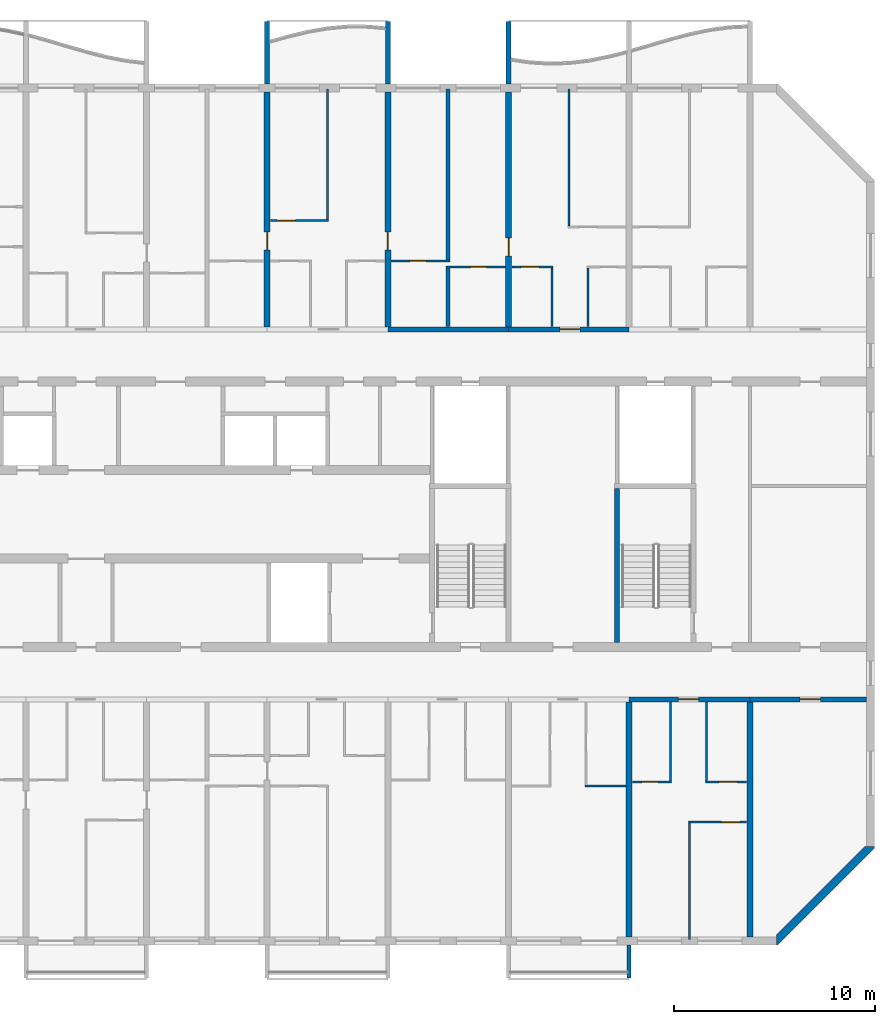
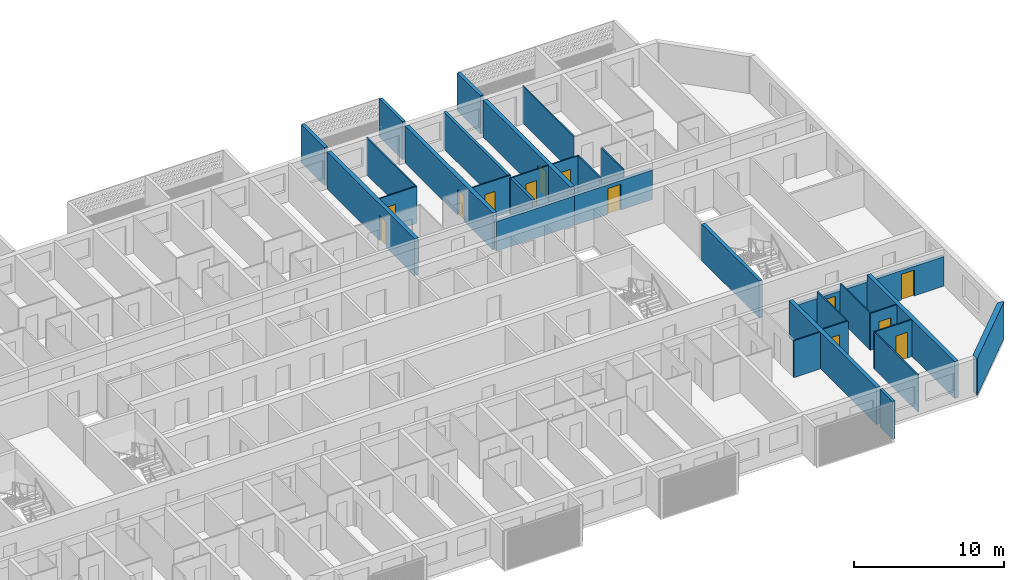
# One storey, part 11 of 32: 32 walls, 13 doors, 13 openings.
"""IFC4 building model written with IfcOpenShell, lengths in metres."""

from ifc_helpers import new_model, si_unit, direction, frame, frame_2d, origin, place, context, subcontext, project, spatial, polyline, rectangle, outline, extrude, source, transform, mapped, material, layer, layer_set, type_object, element, fill, save


model = new_model("IFC4")

# Units and contexts
model_context = context("Model", 3, precision=1e-05, world=origin(), true_north=direction((0.0, 1.0)))
body_context = subcontext(model_context, "Body", "Model", "MODEL_VIEW")
ifc_project = project(units=[si_unit("LENGTHUNIT", "METRE"), si_unit("AREAUNIT", "SQUARE_METRE"), si_unit("VOLUMEUNIT", "CUBIC_METRE"), si_unit("PLANEANGLEUNIT", "RADIAN"), si_unit("MASSUNIT", "GRAM", prefix="KILO")], contexts=[model_context])

# Site, building, storey
site_placement = place(None, origin())
site = spatial("IfcSite", under=ifc_project, at=site_placement, CompositionType="ELEMENT")
building_placement = place(site_placement, origin())
building = spatial("IfcBuilding", under=site, at=building_placement, Name="Poui Terraces", CompositionType="ELEMENT")
storey_placement = place(building_placement, frame((0.0, 0.0, 155.39990234375)))
storey = spatial("IfcBuildingStorey", under=building, at=storey_placement, Name="L43", CompositionType="ELEMENT", Elevation=155.39990234375)

# Wall, opening, door
ifc_material_1 = material(Name="Concrete 65 MPa", Category="concrete")
ifc_layer_1 = layer(ifc_material_1, 0.25)
ifc_layer_set_1 = layer_set([ifc_layer_1], Name="Concrete 65 MPa")
wall_type_1 = type_object("IfcWallType", Name="CORRIDOR WALL 250 65MPa", PredefinedType="SHEAR", material=ifc_layer_set_1)
wall_1_placement = place(storey_placement, frame((78.0, 12.0, 0.0), z_axis=(0.0, 0.0, 1.0), x_axis=(1.0, 0.0, 0.0)))
wall_1 = element("IfcWall", 1, at=wall_1_placement, inside=storey, type_object=wall_type_1, Name="CORRIDOR WALL LINE B BAY 12", PredefinedType="SHEAR", context=body_context, shape_type="SweptSolid", body=[
    extrude(rectangle(XDim=6.0, YDim=0.25, at=frame_2d((3.0, 0.0))), origin(), (0.0, 0.0, 1.0), 2.400146484375),
])
opening_1_placement = place(wall_1_placement, frame((2.449951171875, 0.0, 0.0)))
opening_1 = element("IfcOpeningElement", 2, at=opening_1_placement, cuts=wall_1, Name="Opening FD30S", PredefinedType="OPENING", context=body_context, shape_type="SweptSolid", body=[
    extrude(rectangle(XDim=1.0, YDim=2.10009765625, at=frame_2d((0.5, 1.050048828125))), frame((0.0, 0.135009765625, 0.0), z_axis=(0.0, -1.0, 0.0), x_axis=(1.0, 0.0, 0.0)), (0.0, 0.0, 1.0), 0.27001953125),
])
ifc_material_2 = material(Name="Steel fire door", Category="steel")
door_type_1 = type_object("IfcDoorType", Name="FLAT ENTRANCE DOOR 1000 X 2100", OperationType="NOTDEFINED", PredefinedType="DOOR", material=ifc_material_2)
door_1_placement = place(opening_1_placement, frame((1.0, 0.0, 0.0), z_axis=(0.0, 0.0, 1.0), x_axis=(-1.0, 0.0, 0.0)))
door_1 = element("IfcDoor", 3, at=door_1_placement, inside=storey, type_object=door_type_1, Name="FLAT ENTRANCE DOOR 115", OperationType="SINGLE_SWING_RIGHT", OverallHeight=2.10009765625, OverallWidth=1.0, PredefinedType="DOOR", context=body_context, shape_type="SweptSolid", body=[
    extrude(rectangle(XDim=1.0, YDim=2.10009765625, at=frame_2d((0.5, 1.050048828125))), frame((0.0, 0.02490234375, 0.0), z_axis=(0.0, -1.0, 0.0), x_axis=(1.0, 0.0, 0.0)), (0.0, 0.0, 1.0), 0.050048828125),
])
fill(opening_1, door_1)

wall_2_placement = place(storey_placement, frame((84.0, 12.0, 0.0), z_axis=(0.0, 0.0, 1.0), x_axis=(1.0, 0.0, 0.0)))
wall_2 = element("IfcWall", 4, at=wall_2_placement, inside=storey, type_object=wall_type_1, Name="CORRIDOR WALL LINE B BAY 13", PredefinedType="SHEAR", context=body_context, shape_type="SweptSolid", body=[
    extrude(rectangle(XDim=5.800048828125, YDim=0.25, at=frame_2d((2.89990234375, 0.0))), origin(), (0.0, 0.0, 1.0), 2.400146484375),
])
opening_2_placement = place(wall_2_placement, frame((2.5, 0.0, 0.0)))
opening_2 = element("IfcOpeningElement", 5, at=opening_2_placement, cuts=wall_2, Name="Opening D100", PredefinedType="OPENING", context=body_context, shape_type="SweptSolid", body=[
    extrude(rectangle(XDim=1.0, YDim=2.10009765625, at=frame_2d((0.5, 1.050048828125))), frame((0.0, 0.135009765625, 0.0), z_axis=(0.0, -1.0, 0.0), x_axis=(1.0, 0.0, 0.0)), (0.0, 0.0, 1.0), 0.27001953125),
])
ifc_material_3 = material(Name="Solid core timber door", Category="wood")
door_type_2 = type_object("IfcDoorType", Name="ACCESSIBLE INTERNAL DOOR 1000 X 2100", OperationType="NOTDEFINED", PredefinedType="DOOR", material=ifc_material_3)
door_2_placement = place(opening_2_placement, frame((1.0, 0.0, 0.0), z_axis=(0.0, 0.0, 1.0), x_axis=(-1.0, 0.0, 0.0)))
door_2 = element("IfcDoor", 6, at=door_2_placement, inside=storey, type_object=door_type_2, Name="ACCESSIBLE INTERNAL DOOR 118", OperationType="SINGLE_SWING_RIGHT", OverallHeight=2.10009765625, OverallWidth=1.0, PredefinedType="DOOR", context=body_context, shape_type="SweptSolid", body=[
    extrude(rectangle(XDim=1.0, YDim=2.10009765625, at=frame_2d((0.5, 1.050048828125))), frame((0.0, 0.02490234375, 0.0), z_axis=(0.0, -1.0, 0.0), x_axis=(1.0, 0.0, 0.0)), (0.0, 0.0, 1.0), 0.050048828125),
])
fill(opening_2, door_2)

# Wall
wall_3_placement = place(storey_placement, frame((66.0, 30.39990234375, 0.0), z_axis=(0.0, 0.0, 1.0), x_axis=(1.0, 0.0, 0.0)))
element("IfcWall", 7, at=wall_3_placement, inside=storey, type_object=wall_type_1, Name="CORRIDOR WALL LINE E BAY 10", PredefinedType="SHEAR", context=body_context, shape_type="SweptSolid", body=[
    extrude(rectangle(XDim=6.0, YDim=0.25, at=frame_2d((3.0, 0.0))), origin(), (0.0, 0.0, 1.0), 2.400146484375),
])

# Wall, opening, door
wall_4_placement = place(storey_placement, frame((72.0, 30.39990234375, 0.0), z_axis=(0.0, 0.0, 1.0), x_axis=(1.0, 0.0, 0.0)))
wall_4 = element("IfcWall", 8, at=wall_4_placement, inside=storey, type_object=wall_type_1, Name="CORRIDOR WALL LINE E BAY 11", PredefinedType="SHEAR", context=body_context, shape_type="SweptSolid", body=[
    extrude(rectangle(XDim=6.0, YDim=0.25, at=frame_2d((3.0, 0.0))), origin(), (0.0, 0.0, 1.0), 2.400146484375),
])
opening_3_placement = place(wall_4_placement, frame((2.550048828125, 0.0, 0.0)))
opening_3 = element("IfcOpeningElement", 9, at=opening_3_placement, cuts=wall_4, Name="Opening FD30S", PredefinedType="OPENING", context=body_context, shape_type="SweptSolid", body=[
    extrude(rectangle(XDim=1.0, YDim=2.10009765625, at=frame_2d((0.5, 1.050048828125))), frame((0.0, 0.135009765625, 0.0), z_axis=(0.0, -1.0, 0.0), x_axis=(1.0, 0.0, 0.0)), (0.0, 0.0, 1.0), 0.27001953125),
])
door_3_placement = place(opening_3_placement, origin())
door_3 = element("IfcDoor", 10, at=door_3_placement, inside=storey, type_object=door_type_1, Name="FLAT ENTRANCE DOOR 066", OperationType="SINGLE_SWING_RIGHT", OverallHeight=2.10009765625, OverallWidth=1.0, PredefinedType="DOOR", context=body_context, shape_type="SweptSolid", body=[
    extrude(rectangle(XDim=1.0, YDim=2.10009765625, at=frame_2d((0.5, 1.050048828125))), frame((0.0, 0.02490234375, 0.0), z_axis=(0.0, -1.0, 0.0), x_axis=(1.0, 0.0, 0.0)), (0.0, 0.0, 1.0), 0.050048828125),
])
fill(opening_3, door_3)

ifc_layer_2 = layer(ifc_material_1, 0.300048828125)
ifc_layer_set_2 = layer_set([ifc_layer_2], Name="Concrete 65 MPa")
wall_type_2 = type_object("IfcWallType", Name="CROSS WALL 300 65MPa", PredefinedType="SHEAR", material=ifc_layer_set_2)
wall_5_placement = place(storey_placement, frame((60.0, 30.52490234375, 0.0), z_axis=(0.0, 0.0, 1.0), x_axis=(0.0, 1.0, 0.0)))
wall_5 = element("IfcWall", 11, at=wall_5_placement, inside=storey, type_object=wall_type_2, Name="CROSS WALL LINE 11 NORTH", PredefinedType="SHEAR", context=body_context, shape_type="SweptSolid", body=[
    extrude(rectangle(XDim=11.675048828125, YDim=0.300048828125, at=frame_2d((5.83740234375, 0.0))), origin(), (0.0, 0.0, 1.0), 3.0),
])
opening_4_placement = place(wall_5_placement, frame((3.824951171875, 0.0, 0.0)))
opening_4 = element("IfcOpeningElement", 12, at=opening_4_placement, cuts=wall_5, Name="Opening D90", PredefinedType="OPENING", context=body_context, shape_type="SweptSolid", body=[
    extrude(rectangle(XDim=0.89990234375, YDim=2.10009765625, at=frame_2d((0.449951171875, 1.050048828125))), frame((0.0, 0.16015625, 0.0), z_axis=(0.0, -1.0, 0.0), x_axis=(1.0, 0.0, 0.0)), (0.0, 0.0, 1.0), 0.320068359375),
])
door_type_3 = type_object("IfcDoorType", Name="INTERNAL DOOR 900 X 2100", OperationType="NOTDEFINED", PredefinedType="DOOR", material=ifc_material_3)
door_4_placement = place(opening_4_placement, origin())
door_4 = element("IfcDoor", 13, at=door_4_placement, inside=storey, type_object=door_type_3, Name="INTERNAL DOOR 057", OperationType="SINGLE_SWING_LEFT", OverallHeight=2.10009765625, OverallWidth=0.89990234375, PredefinedType="DOOR", context=body_context, shape_type="SweptSolid", body=[
    extrude(rectangle(XDim=0.89990234375, YDim=2.10009765625, at=frame_2d((0.449951171875, 1.050048828125))), frame((0.0, 0.02490234375, 0.0), z_axis=(0.0, -1.0, 0.0), x_axis=(1.0, 0.0, 0.0)), (0.0, 0.0, 1.0), 0.050048828125),
])
fill(opening_4, door_4)

wall_6_placement = place(storey_placement, frame((66.0, 30.52490234375, 0.0), z_axis=(0.0, 0.0, 1.0), x_axis=(0.0, 1.0, 0.0)))
wall_6 = element("IfcWall", 14, at=wall_6_placement, inside=storey, type_object=wall_type_2, Name="CROSS WALL LINE 12 NORTH", PredefinedType="SHEAR", context=body_context, shape_type="SweptSolid", body=[
    extrude(rectangle(XDim=11.675048828125, YDim=0.300048828125, at=frame_2d((5.83740234375, 0.0))), origin(), (0.0, 0.0, 1.0), 3.0),
])
opening_5_placement = place(wall_6_placement, frame((3.824951171875, 0.0, 0.0)))
opening_5 = element("IfcOpeningElement", 15, at=opening_5_placement, cuts=wall_6, Name="Opening D90", PredefinedType="OPENING", context=body_context, shape_type="SweptSolid", body=[
    extrude(rectangle(XDim=0.89990234375, YDim=2.10009765625, at=frame_2d((0.449951171875, 1.050048828125))), frame((0.0, 0.16015625, 0.0), z_axis=(0.0, -1.0, 0.0), x_axis=(1.0, 0.0, 0.0)), (0.0, 0.0, 1.0), 0.320068359375),
])
door_5_placement = place(opening_5_placement, frame((0.89990234375, 0.0, 0.0), z_axis=(0.0, 0.0, 1.0), x_axis=(-1.0, 0.0, 0.0)))
door_5 = element("IfcDoor", 16, at=door_5_placement, inside=storey, type_object=door_type_3, Name="INTERNAL DOOR 062", OperationType="SINGLE_SWING_RIGHT", OverallHeight=2.10009765625, OverallWidth=0.89990234375, PredefinedType="DOOR", context=body_context, shape_type="SweptSolid", body=[
    extrude(rectangle(XDim=0.89990234375, YDim=2.10009765625, at=frame_2d((0.449951171875, 1.050048828125))), frame((0.0, 0.02490234375, 0.0), z_axis=(0.0, -1.0, 0.0), x_axis=(1.0, 0.0, 0.0)), (0.0, 0.0, 1.0), 0.050048828125),
])
fill(opening_5, door_5)

wall_7_placement = place(storey_placement, frame((72.0, 30.52490234375, 0.0), z_axis=(0.0, 0.0, 1.0), x_axis=(0.0, 1.0, 0.0)))
wall_7 = element("IfcWall", 17, at=wall_7_placement, inside=storey, type_object=wall_type_2, Name="CROSS WALL LINE 13 NORTH", PredefinedType="SHEAR", context=body_context, shape_type="SweptSolid", body=[
    extrude(rectangle(XDim=11.675048828125, YDim=0.300048828125, at=frame_2d((5.83740234375, 0.0))), origin(), (0.0, 0.0, 1.0), 3.0),
])
opening_6_placement = place(wall_7_placement, frame((3.52490234375, 0.0, 0.0)))
opening_6 = element("IfcOpeningElement", 18, at=opening_6_placement, cuts=wall_7, Name="Opening D90", PredefinedType="OPENING", context=body_context, shape_type="SweptSolid", body=[
    extrude(rectangle(XDim=0.89990234375, YDim=2.10009765625, at=frame_2d((0.449951171875, 1.050048828125))), frame((0.0, 0.16015625, 0.0), z_axis=(0.0, -1.0, 0.0), x_axis=(1.0, 0.0, 0.0)), (0.0, 0.0, 1.0), 0.320068359375),
])
door_6_placement = place(opening_6_placement, origin())
door_6 = element("IfcDoor", 19, at=door_6_placement, inside=storey, type_object=door_type_3, Name="INTERNAL DOOR 064", OperationType="SINGLE_SWING_LEFT", OverallHeight=2.10009765625, OverallWidth=0.89990234375, PredefinedType="DOOR", context=body_context, shape_type="SweptSolid", body=[
    extrude(rectangle(XDim=0.89990234375, YDim=2.10009765625, at=frame_2d((0.449951171875, 1.050048828125))), frame((0.0, 0.02490234375, 0.0), z_axis=(0.0, -1.0, 0.0), x_axis=(1.0, 0.0, 0.0)), (0.0, 0.0, 1.0), 0.050048828125),
])
fill(opening_6, door_6)

# Walls
for number, where, z_axis, x_axis, name in (
    (20, (78.0, 0.199951171875, 0.0), (0.0, 0.0, 1.0), (0.0, 1.0, 0.0), "CROSS WALL LINE 14 SOUTH"),
    (21, (84.0, 0.199951171875, 0.0), (0.0, 0.0, 1.0), (0.0, 1.0, 0.0), "CROSS WALL LINE 15 SOUTH"),
):
    element("IfcWall", number, at=place(storey_placement, frame(where, z_axis=z_axis, x_axis=x_axis)), inside=storey, type_object=wall_type_2, Name=name, PredefinedType="SHEAR", context=body_context, shape_type="SweptSolid", body=[
        extrude(rectangle(XDim=11.675048828125, YDim=0.300048828125, at=frame_2d((5.83740234375, 0.0))), origin(), (0.0, 0.0, 1.0), 3.0),
    ])

# Wall, opening, door
ifc_material_4 = material(Name="Plasterboard partition")
ifc_layer_3 = layer(ifc_material_4, 0.10009765625)
ifc_layer_set_3 = layer_set([ifc_layer_3], Name="Plasterboard partition")
wall_type_3 = type_object("IfcWallType", Name="FLAT PARTITION 100", PredefinedType="PARTITIONING", material=ifc_layer_set_3)
wall_8_placement = place(storey_placement, frame((80.949951171875, 5.89990234375, 0.0), z_axis=(0.0, 0.0, 1.0), x_axis=(1.0, 0.0, 0.0)))
wall_8 = element("IfcWall", 22, at=wall_8_placement, inside=storey, type_object=wall_type_3, Name="FLAT PARTITION 100", PredefinedType="PARTITIONING", context=body_context, shape_type="SweptSolid", body=[
    extrude(rectangle(XDim=2.89013671875, YDim=0.10009765625, at=frame_2d((1.445068359375, 0.0))), origin(), (0.0, 0.0, 1.0), 3.0),
])
opening_7_placement = place(wall_8_placement, frame((1.64990234375, 0.0, 0.0)))
opening_7 = element("IfcOpeningElement", 23, at=opening_7_placement, cuts=wall_8, Name="Opening D90", PredefinedType="OPENING", context=body_context, shape_type="SweptSolid", body=[
    extrude(rectangle(XDim=0.89990234375, YDim=2.10009765625, at=frame_2d((0.449951171875, 1.050048828125))), frame((0.0, 0.06005859375, 0.0), z_axis=(0.0, -1.0, 0.0), x_axis=(1.0, 0.0, 0.0)), (0.0, 0.0, 1.0), 0.1201171875),
])
door_7_placement = place(opening_7_placement, origin())
door_7 = element("IfcDoor", 24, at=door_7_placement, inside=storey, type_object=door_type_3, Name="INTERNAL DOOR 117", OperationType="SINGLE_SWING_LEFT", OverallHeight=2.10009765625, OverallWidth=0.89990234375, PredefinedType="DOOR", context=body_context, shape_type="SweptSolid", body=[
    extrude(rectangle(XDim=0.89990234375, YDim=2.10009765625, at=frame_2d((0.449951171875, 1.050048828125))), frame((0.0, 0.02490234375, 0.0), z_axis=(0.0, -1.0, 0.0), x_axis=(1.0, 0.0, 0.0)), (0.0, 0.0, 1.0), 0.050048828125),
])
fill(opening_7, door_7)

# Wall
wall_9_placement = place(storey_placement, frame((75.800048828125, 7.699951171875, 0.0), z_axis=(0.0, 0.0, 1.0), x_axis=(1.0, 0.0, 0.0)))
element("IfcWall", 25, at=wall_9_placement, inside=storey, type_object=wall_type_3, Name="FLAT PARTITION 100", PredefinedType="PARTITIONING", context=body_context, shape_type="SweptSolid", body=[
    extrude(rectangle(XDim=2.0400390625, YDim=0.10009765625, at=frame_2d((1.02001953125, 0.0))), origin(), (0.0, 0.0, 1.0), 3.0),
])

# Wall, opening, door
wall_10_placement = place(storey_placement, frame((78.159912109375, 7.89990234375, 0.0), z_axis=(0.0, 0.0, 1.0), x_axis=(1.0, 0.0, 0.0)))
wall_10 = element("IfcWall", 26, at=wall_10_placement, inside=storey, type_object=wall_type_3, Name="FLAT PARTITION 100", PredefinedType="PARTITIONING", context=body_context, shape_type="SweptSolid", body=[
    extrude(rectangle(XDim=1.940185546875, YDim=0.10009765625, at=frame_2d((0.97021484375, 0.0))), origin(), (0.0, 0.0, 1.0), 3.0),
])
opening_8_placement = place(wall_10_placement, frame((0.465087890625, 0.0, 0.0)))
opening_8 = element("IfcOpeningElement", 27, at=opening_8_placement, cuts=wall_10, Name="Opening D80", PredefinedType="OPENING", context=body_context, shape_type="SweptSolid", body=[
    extrude(rectangle(XDim=0.800048828125, YDim=2.10009765625, at=frame_2d((0.39990234375, 1.050048828125))), frame((0.0, 0.06005859375, 0.0), z_axis=(0.0, -1.0, 0.0), x_axis=(1.0, 0.0, 0.0)), (0.0, 0.0, 1.0), 0.1201171875),
])
door_type_4 = type_object("IfcDoorType", Name="BATHROOM, LAUNDRY AND STORE DOOR 800 X 2100", OperationType="NOTDEFINED", PredefinedType="DOOR", material=ifc_material_3)
door_8_placement = place(opening_8_placement, origin())
door_8 = element("IfcDoor", 28, at=door_8_placement, inside=storey, type_object=door_type_4, Name="BATHROOM, LAUNDRY AND STORE DOOR 114", OperationType="SINGLE_SWING_LEFT", OverallHeight=2.10009765625, OverallWidth=0.800048828125, PredefinedType="DOOR", context=body_context, shape_type="SweptSolid", body=[
    extrude(rectangle(XDim=0.800048828125, YDim=2.10009765625, at=frame_2d((0.39990234375, 1.050048828125))), frame((0.0, 0.02490234375, 0.0), z_axis=(0.0, -1.0, 0.0), x_axis=(1.0, 0.0, 0.0)), (0.0, 0.0, 1.0), 0.050048828125),
])
fill(opening_8, door_8)

wall_11_placement = place(storey_placement, frame((81.800048828125, 7.89990234375, 0.0), z_axis=(0.0, 0.0, 1.0), x_axis=(1.0, 0.0, 0.0)))
wall_11 = element("IfcWall", 29, at=wall_11_placement, inside=storey, type_object=wall_type_3, Name="FLAT PARTITION 100", PredefinedType="PARTITIONING", context=body_context, shape_type="SweptSolid", body=[
    extrude(rectangle(XDim=2.0400390625, YDim=0.10009765625, at=frame_2d((1.02001953125, 0.0))), origin(), (0.0, 0.0, 1.0), 3.0),
])
opening_9_placement = place(wall_11_placement, frame((0.675048828125, 0.0, 0.0)))
opening_9 = element("IfcOpeningElement", 30, at=opening_9_placement, cuts=wall_11, Name="Opening D90", PredefinedType="OPENING", context=body_context, shape_type="SweptSolid", body=[
    extrude(rectangle(XDim=0.89990234375, YDim=2.10009765625, at=frame_2d((0.449951171875, 1.050048828125))), frame((0.0, 0.06005859375, 0.0), z_axis=(0.0, -1.0, 0.0), x_axis=(1.0, 0.0, 0.0)), (0.0, 0.0, 1.0), 0.1201171875),
])
door_9_placement = place(opening_9_placement, origin())
door_9 = element("IfcDoor", 31, at=door_9_placement, inside=storey, type_object=door_type_3, Name="INTERNAL DOOR 116", OperationType="SINGLE_SWING_RIGHT", OverallHeight=2.10009765625, OverallWidth=0.89990234375, PredefinedType="DOOR", context=body_context, shape_type="SweptSolid", body=[
    extrude(rectangle(XDim=0.89990234375, YDim=2.10009765625, at=frame_2d((0.449951171875, 1.050048828125))), frame((0.0, 0.02490234375, 0.0), z_axis=(0.0, -1.0, 0.0), x_axis=(1.0, 0.0, 0.0)), (0.0, 0.0, 1.0), 0.050048828125),
])
fill(opening_9, door_9)

wall_12_placement = place(storey_placement, frame((68.89990234375, 33.5, 0.0), z_axis=(0.0, 0.0, 1.0), x_axis=(1.0, 0.0, 0.0)))
wall_12 = element("IfcWall", 32, at=wall_12_placement, inside=storey, type_object=wall_type_3, Name="FLAT PARTITION 100", PredefinedType="PARTITIONING", context=body_context, shape_type="SweptSolid", body=[
    extrude(rectangle(XDim=2.940185546875, YDim=0.10009765625, at=frame_2d((1.47021484375, 0.0))), origin(), (0.0, 0.0, 1.0), 3.0),
])
opening_10_placement = place(wall_12_placement, frame((1.199951171875, 0.0, 0.0)))
opening_10 = element("IfcOpeningElement", 33, at=opening_10_placement, cuts=wall_12, Name="Opening D80", PredefinedType="OPENING", context=body_context, shape_type="SweptSolid", body=[
    extrude(rectangle(XDim=0.800048828125, YDim=2.10009765625, at=frame_2d((0.39990234375, 1.050048828125))), frame((0.0, 0.06005859375, 0.0), z_axis=(0.0, -1.0, 0.0), x_axis=(1.0, 0.0, 0.0)), (0.0, 0.0, 1.0), 0.1201171875),
])
door_10_placement = place(opening_10_placement, frame((0.800048828125, 0.0, 0.0), z_axis=(0.0, 0.0, 1.0), x_axis=(-1.0, 0.0, 0.0)))
door_10 = element("IfcDoor", 34, at=door_10_placement, inside=storey, type_object=door_type_4, Name="BATHROOM, LAUNDRY AND STORE DOOR 063", OperationType="SINGLE_SWING_LEFT", OverallHeight=2.10009765625, OverallWidth=0.800048828125, PredefinedType="DOOR", context=body_context, shape_type="SweptSolid", body=[
    extrude(rectangle(XDim=0.800048828125, YDim=2.10009765625, at=frame_2d((0.39990234375, 1.050048828125))), frame((0.0, 0.02490234375, 0.0), z_axis=(0.0, -1.0, 0.0), x_axis=(1.0, 0.0, 0.0)), (0.0, 0.0, 1.0), 0.050048828125),
])
fill(opening_10, door_10)

wall_13_placement = place(storey_placement, frame((72.159912109375, 33.5, 0.0), z_axis=(0.0, 0.0, 1.0), x_axis=(1.0, 0.0, 0.0)))
wall_13 = element("IfcWall", 35, at=wall_13_placement, inside=storey, type_object=wall_type_3, Name="FLAT PARTITION 100", PredefinedType="PARTITIONING", context=body_context, shape_type="SweptSolid", body=[
    extrude(rectangle(XDim=2.0400390625, YDim=0.10009765625, at=frame_2d((1.02001953125, 0.0))), origin(), (0.0, 0.0, 1.0), 3.0),
])
opening_11_placement = place(wall_13_placement, frame((0.465087890625, 0.0, 0.0)))
opening_11 = element("IfcOpeningElement", 36, at=opening_11_placement, cuts=wall_13, Name="Opening D90", PredefinedType="OPENING", context=body_context, shape_type="SweptSolid", body=[
    extrude(rectangle(XDim=0.89990234375, YDim=2.10009765625, at=frame_2d((0.449951171875, 1.050048828125))), frame((0.0, 0.06005859375, 0.0), z_axis=(0.0, -1.0, 0.0), x_axis=(1.0, 0.0, 0.0)), (0.0, 0.0, 1.0), 0.1201171875),
])
door_11_placement = place(opening_11_placement, frame((0.89990234375, 0.0, 0.0), z_axis=(0.0, 0.0, 1.0), x_axis=(-1.0, 0.0, 0.0)))
door_11 = element("IfcDoor", 37, at=door_11_placement, inside=storey, type_object=door_type_3, Name="INTERNAL DOOR 065", OperationType="SINGLE_SWING_LEFT", OverallHeight=2.10009765625, OverallWidth=0.89990234375, PredefinedType="DOOR", context=body_context, shape_type="SweptSolid", body=[
    extrude(rectangle(XDim=0.89990234375, YDim=2.10009765625, at=frame_2d((0.449951171875, 1.050048828125))), frame((0.0, 0.02490234375, 0.0), z_axis=(0.0, -1.0, 0.0), x_axis=(1.0, 0.0, 0.0)), (0.0, 0.0, 1.0), 0.050048828125),
])
fill(opening_11, door_11)

wall_14_placement = place(storey_placement, frame((66.159912109375, 33.800048828125, 0.0), z_axis=(0.0, 0.0, 1.0), x_axis=(1.0, 0.0, 0.0)))
wall_14 = element("IfcWall", 38, at=wall_14_placement, inside=storey, type_object=wall_type_3, Name="FLAT PARTITION 100", PredefinedType="PARTITIONING", context=body_context, shape_type="SweptSolid", body=[
    extrude(rectangle(XDim=2.940185546875, YDim=0.10009765625, at=frame_2d((1.47021484375, 0.0))), origin(), (0.0, 0.0, 1.0), 3.0),
])
opening_12_placement = place(wall_14_placement, frame((0.93994140625, 0.0, 0.0)))
opening_12 = element("IfcOpeningElement", 39, at=opening_12_placement, cuts=wall_14, Name="Opening D80", PredefinedType="OPENING", context=body_context, shape_type="SweptSolid", body=[
    extrude(rectangle(XDim=0.800048828125, YDim=2.10009765625, at=frame_2d((0.39990234375, 1.050048828125))), frame((0.0, 0.06005859375, 0.0), z_axis=(0.0, -1.0, 0.0), x_axis=(1.0, 0.0, 0.0)), (0.0, 0.0, 1.0), 0.1201171875),
])
door_12_placement = place(opening_12_placement, frame((0.800048828125, 0.0, 0.0), z_axis=(0.0, 0.0, 1.0), x_axis=(-1.0, 0.0, 0.0)))
door_12 = element("IfcDoor", 40, at=door_12_placement, inside=storey, type_object=door_type_4, Name="BATHROOM, LAUNDRY AND STORE DOOR 056", OperationType="SINGLE_SWING_RIGHT", OverallHeight=2.10009765625, OverallWidth=0.800048828125, PredefinedType="DOOR", context=body_context, shape_type="SweptSolid", body=[
    extrude(rectangle(XDim=0.800048828125, YDim=2.10009765625, at=frame_2d((0.39990234375, 1.050048828125))), frame((0.0, 0.02490234375, 0.0), z_axis=(0.0, -1.0, 0.0), x_axis=(1.0, 0.0, 0.0)), (0.0, 0.0, 1.0), 0.050048828125),
])
fill(opening_12, door_12)

wall_15_placement = place(storey_placement, frame((60.159912109375, 35.800048828125, 0.0), z_axis=(0.0, 0.0, 1.0), x_axis=(1.0, 0.0, 0.0)))
wall_15 = element("IfcWall", 41, at=wall_15_placement, inside=storey, type_object=wall_type_3, Name="FLAT PARTITION 100", PredefinedType="PARTITIONING", context=body_context, shape_type="SweptSolid", body=[
    extrude(rectangle(XDim=2.89013671875, YDim=0.10009765625, at=frame_2d((1.445068359375, 0.0))), origin(), (0.0, 0.0, 1.0), 3.0),
])
opening_13_placement = place(wall_15_placement, frame((0.340087890625, 0.0, 0.0)))
opening_13 = element("IfcOpeningElement", 42, at=opening_13_placement, cuts=wall_15, Name="Opening D90", PredefinedType="OPENING", context=body_context, shape_type="SweptSolid", body=[
    extrude(rectangle(XDim=0.89990234375, YDim=2.10009765625, at=frame_2d((0.449951171875, 1.050048828125))), frame((0.0, 0.06005859375, 0.0), z_axis=(0.0, -1.0, 0.0), x_axis=(1.0, 0.0, 0.0)), (0.0, 0.0, 1.0), 0.1201171875),
])
door_13_placement = place(opening_13_placement, frame((0.89990234375, 0.0, 0.0), z_axis=(0.0, 0.0, 1.0), x_axis=(-1.0, 0.0, 0.0)))
door_13 = element("IfcDoor", 43, at=door_13_placement, inside=storey, type_object=door_type_3, Name="INTERNAL DOOR 058", OperationType="SINGLE_SWING_LEFT", OverallHeight=2.10009765625, OverallWidth=0.89990234375, PredefinedType="DOOR", context=body_context, shape_type="SweptSolid", body=[
    extrude(rectangle(XDim=0.89990234375, YDim=2.10009765625, at=frame_2d((0.449951171875, 1.050048828125))), frame((0.0, 0.02490234375, 0.0), z_axis=(0.0, -1.0, 0.0), x_axis=(1.0, 0.0, 0.0)), (0.0, 0.0, 1.0), 0.050048828125),
])
fill(opening_13, door_13)

# Walls
wall_16_placement = place(storey_placement, frame((63.0, 35.85009765625, 0.0), z_axis=(0.0, 0.0, 1.0), x_axis=(0.0, 1.0, 0.0)))
element("IfcWall", 44, at=wall_16_placement, inside=storey, type_object=wall_type_3, Name="FLAT PARTITION 100", PredefinedType="PARTITIONING", context=body_context, shape_type="SweptSolid", body=[
    extrude(rectangle(XDim=6.489990234375, YDim=0.10009765625, at=frame_2d((3.2451171875, 0.0))), origin(), (0.0, 0.0, 1.0), 3.0),
])
wall_17_placement = place(storey_placement, frame((74.14990234375, 30.534912109375, 0.0), z_axis=(0.0, 0.0, 1.0), x_axis=(0.0, 1.0, 0.0)))
element("IfcWall", 45, at=wall_17_placement, inside=storey, type_object=wall_type_3, Name="FLAT PARTITION 100", PredefinedType="PARTITIONING", context=body_context, shape_type="SweptSolid", body=[
    extrude(rectangle(XDim=2.9150390625, YDim=0.10009765625, at=frame_2d((1.45751953125, 0.0))), origin(), (0.0, 0.0, 1.0), 3.0),
])
wall_18_placement = place(storey_placement, frame((75.0, 35.550048828125, 0.0), z_axis=(0.0, 0.0, 1.0), x_axis=(0.0, 1.0, 0.0)))
element("IfcWall", 46, at=wall_18_placement, inside=storey, type_object=wall_type_3, Name="FLAT PARTITION 100", PredefinedType="PARTITIONING", context=body_context, shape_type="SweptSolid", body=[
    extrude(rectangle(XDim=6.7900390625, YDim=0.10009765625, at=frame_2d((3.39501953125, 0.0))), origin(), (0.0, 0.0, 1.0), 3.0),
])
wall_19_placement = place(storey_placement, frame((75.949951171875, 30.534912109375, 0.0), z_axis=(0.0, 0.0, 1.0), x_axis=(0.0, 1.0, 0.0)))
element("IfcWall", 47, at=wall_19_placement, inside=storey, type_object=wall_type_3, Name="FLAT PARTITION 100", PredefinedType="PARTITIONING", context=body_context, shape_type="SweptSolid", body=[
    extrude(rectangle(XDim=2.9150390625, YDim=0.10009765625, at=frame_2d((1.45751953125, 0.0))), origin(), (0.0, 0.0, 1.0), 3.0),
])
wall_20_placement = place(storey_placement, frame((80.050048828125, 7.949951171875, 0.0), z_axis=(0.0, 0.0, 1.0), x_axis=(0.0, 1.0, 0.0)))
element("IfcWall", 48, at=wall_20_placement, inside=storey, type_object=wall_type_3, Name="FLAT PARTITION 100", PredefinedType="PARTITIONING", context=body_context, shape_type="SweptSolid", body=[
    extrude(rectangle(XDim=3.9150390625, YDim=0.10009765625, at=frame_2d((1.95751953125, 0.0))), origin(), (0.0, 0.0, 1.0), 3.0),
])
wall_21_placement = place(storey_placement, frame((81.0, 0.06005859375, 0.0), z_axis=(0.0, 0.0, 1.0), x_axis=(0.0, 1.0, 0.0)))
element("IfcWall", 49, at=wall_21_placement, inside=storey, type_object=wall_type_3, Name="FLAT PARTITION 100", PredefinedType="PARTITIONING", context=body_context, shape_type="SweptSolid", body=[
    extrude(rectangle(XDim=5.7900390625, YDim=0.10009765625, at=frame_2d((2.89501953125, 0.0))), origin(), (0.0, 0.0, 1.0), 3.0),
])
wall_22_placement = place(storey_placement, frame((81.85009765625, 7.949951171875, 0.0), z_axis=(0.0, 0.0, 1.0), x_axis=(0.0, 1.0, 0.0)))
element("IfcWall", 50, at=wall_22_placement, inside=storey, type_object=wall_type_3, Name="FLAT PARTITION 100", PredefinedType="PARTITIONING", context=body_context, shape_type="SweptSolid", body=[
    extrude(rectangle(XDim=3.9150390625, YDim=0.10009765625, at=frame_2d((1.95751953125, 0.0))), origin(), (0.0, 0.0, 1.0), 3.0),
])
ifc_material_5 = material(Name="Fire-rated masonry wall", Category="masonry")
ifc_layer_4 = layer(ifc_material_5, 0.199951171875)
ifc_layer_set_4 = layer_set([ifc_layer_4], Name="Fire-rated masonry wall")
wall_type_4 = type_object("IfcWallType", Name="FLAT PARTY WALL 200", PredefinedType="PARTITIONING", material=ifc_layer_set_4)
wall_23_placement = place(storey_placement, frame((69.0, 30.534912109375, 0.0), z_axis=(0.0, 0.0, 1.0), x_axis=(0.0, 1.0, 0.0)))
element("IfcWall", 51, at=wall_23_placement, inside=storey, type_object=wall_type_4, Name="FLAT PARTY WALL 200", PredefinedType="PARTITIONING", context=body_context, shape_type="SweptSolid", body=[
    extrude(rectangle(XDim=2.9150390625, YDim=0.199951171875, at=frame_2d((1.45751953125, 0.0))), origin(), (0.0, 0.0, 1.0), 3.0),
])
wall_24_placement = place(storey_placement, frame((69.0, 33.85009765625, 0.0), z_axis=(0.0, 0.0, 1.0), x_axis=(0.0, 1.0, 0.0)))
element("IfcWall", 52, at=wall_24_placement, inside=storey, type_object=wall_type_4, Name="FLAT PARTY WALL 200", PredefinedType="PARTITIONING", context=body_context, shape_type="SweptSolid", body=[
    extrude(rectangle(XDim=8.489990234375, YDim=0.199951171875, at=frame_2d((4.2451171875, 0.0))), origin(), (0.0, 0.0, 1.0), 3.0),
])
ifc_layer_5 = layer(ifc_material_1, 0.25)
ifc_layer_set_5 = layer_set([ifc_layer_5], Name="Concrete 65 MPa")
wall_type_5 = type_object("IfcWallType", Name="STAIR CORE WALL 250 65 MPA", PredefinedType="SOLIDWALL", material=ifc_layer_set_5)
wall_25_placement = place(storey_placement, frame((77.39990234375, 14.824951171875, 0.0), z_axis=(0.0, 0.0, 1.0), x_axis=(0.0, 1.0, 0.0)))
element("IfcWall", 53, at=wall_25_placement, inside=storey, type_object=wall_type_5, Name="STAIR CORE WALL", PredefinedType="SOLIDWALL", context=body_context, shape_type="SweptSolid", body=[
    extrude(rectangle(XDim=7.650146484375, YDim=0.25, at=frame_2d((3.8251953125, 0.0))), origin(), (0.0, 0.0, 1.0), 3.0),
])
ifc_material_6 = material(Name="Precast concrete 40 MPa", Category="concrete")
ifc_layer_6 = layer(ifc_material_6, 0.39990234375)
ifc_layer_set_6 = layer_set([ifc_layer_6], Name="Precast concrete 40 MPa")
wall_type_6 = type_object("IfcWallType", Name="TERRACOTTA CLAD CHAMFER WALL 400", PredefinedType="STANDARD", material=ifc_layer_set_6)
wall_26_placement = place(storey_placement, origin())
element("IfcWall", 54, at=wall_26_placement, inside=storey, type_object=wall_type_6, Name="CHAMFER WALL CH01", PredefinedType="STANDARD", context=body_context, shape_type="SweptSolid", body=[
    extrude(outline(polyline([(85.317138671875, -0.199951171875), (85.39990234375, -0.199951171875), (90.199951171875, 4.60009765625), (90.199951171875, 4.682861328125), (89.71728515625, 4.682861328125), (85.317138671875, 0.28271484375), (85.317138671875, -0.199951171875)])), origin(), (0.0, 0.0, 1.0), 3.0),
])
ifc_layer_7 = layer(ifc_material_6, 0.199951171875)
ifc_layer_set_7 = layer_set([ifc_layer_7], Name="Precast concrete 40 MPa")
wall_type_7 = type_object("IfcWallType", Name="REAR FIN 200", PredefinedType="STANDARD", material=ifc_layer_set_7)
shared_shape_1 = source(origin(), body_context, "Body", "SweptSolid", [
    extrude(outline(polyline([(0.0, 0.0), (0.2001953125, 0.0), (0.2001953125, 1.650146484375), (0.0, 1.650146484375), (0.0, 0.0)])), origin(), (0.0, 0.0, 1.0), 3.10009765625),
])
wall_27_placement = place(storey_placement, frame((77.89990234375, -1.85009765625, 0.0)))
element("IfcWall", 55, at=wall_27_placement, inside=storey, type_object=wall_type_7, Name="REAR FIN", PredefinedType="STANDARD", context=body_context, shape_type="MappedRepresentation", body=[
    mapped(shared_shape_1, transform((0.0, 0.0, 0.0))),
])
ifc_layer_8 = layer(ifc_material_6, 0.25)
ifc_layer_set_8 = layer_set([ifc_layer_8], Name="Precast concrete 40 MPa")
wall_type_8 = type_object("IfcWallType", Name="BALCONY FIN 250", PredefinedType="STANDARD", material=ifc_layer_set_8)
shared_shape_2 = source(origin(), body_context, "Body", "SweptSolid", [
    extrude(outline(polyline([(0.0, 0.0), (0.25, 0.0), (0.25, 3.099853515625), (0.0, 3.099853515625), (0.0, 0.0)])), origin(), (0.0, 0.0, 1.0), 3.10009765625),
])
for number, where, name in (
    (56, (59.875, 42.60009765625, 0.0), "BALCONY FIN"),
    (57, (65.875, 42.60009765625, 0.0), "BALCONY FIN"),
    (58, (71.875, 42.60009765625, 0.0), "BALCONY FIN"),
):
    element("IfcWall", number, at=place(storey_placement, frame(where)), inside=storey, type_object=wall_type_8, Name=name, PredefinedType="STANDARD", context=body_context, shape_type="MappedRepresentation", body=[
        mapped(shared_shape_2, transform((0.0, 0.0, 0.0))),
    ])

save(model, "model.ifc")
